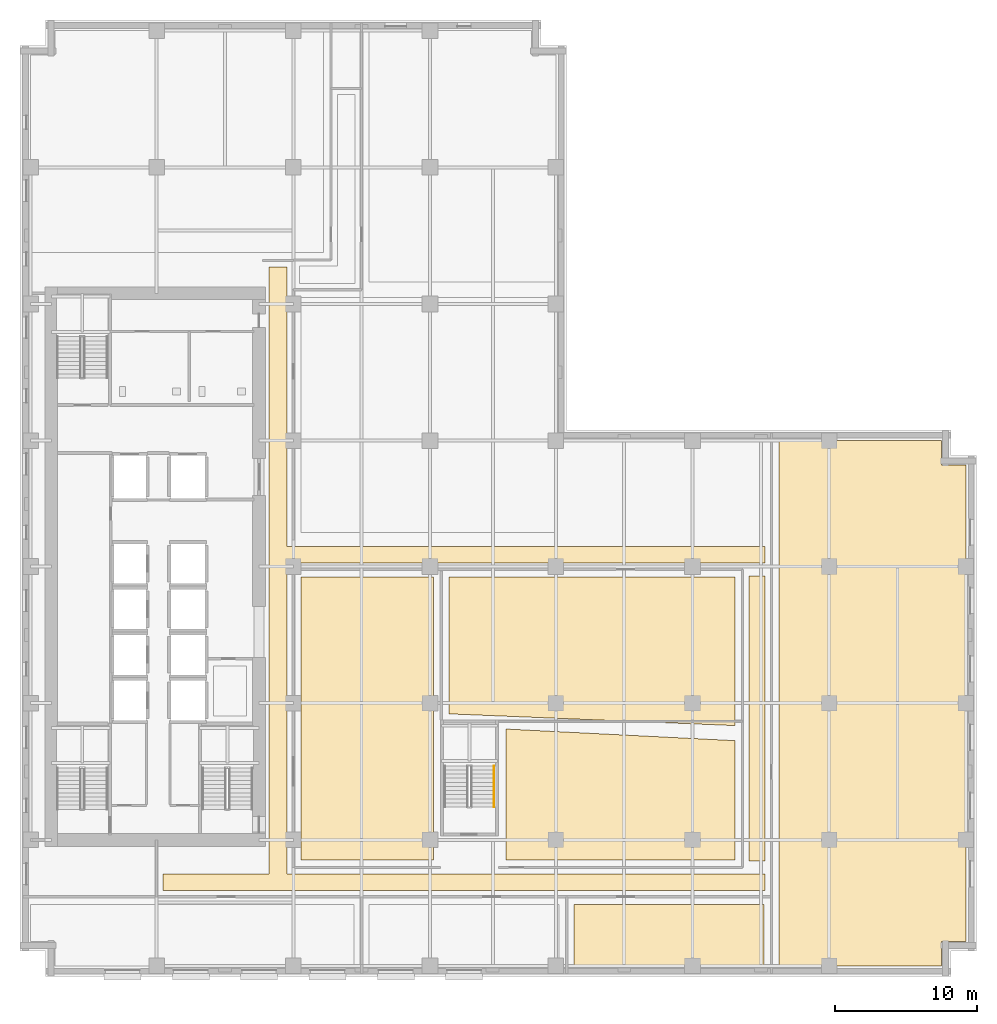
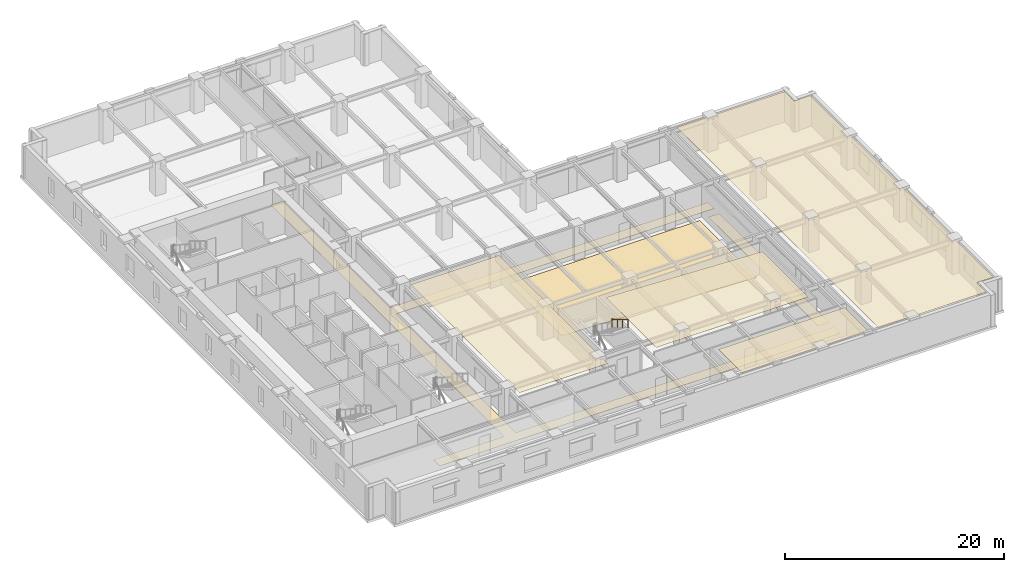
# One storey, part 11 of 14: 7 coverings, 1 railing.
"""IFC4 building model written with IfcOpenShell, lengths in metres."""

from ifc_helpers import new_model, si_unit, direction, frame, origin, origin_2d, place, context, subcontext, project, spatial, polyline, circle, outline, extrude, material, layer, layer_set, type_object, element, save


model = new_model("IFC4")

# Units and contexts
model_context = context("Model", 3, precision=1e-05, world=origin(), true_north=direction((0.0, 1.0)))
body_context = subcontext(model_context, "Body", "Model", "MODEL_VIEW")
ifc_project = project(units=[si_unit("LENGTHUNIT", "METRE"), si_unit("AREAUNIT", "SQUARE_METRE"), si_unit("VOLUMEUNIT", "CUBIC_METRE"), si_unit("PLANEANGLEUNIT", "RADIAN"), si_unit("MASSUNIT", "GRAM", prefix="KILO")], contexts=[model_context])

# Site, building, storey
site_placement = place(None, origin())
site = spatial("IfcSite", under=ifc_project, at=site_placement, CompositionType="ELEMENT")
building_placement = place(site_placement, origin())
building = spatial("IfcBuilding", under=site, at=building_placement, Name="Norrvale University Quadrangle", CompositionType="ELEMENT")
storey_placement = place(building_placement, frame((0.0, 0.0, 73.60009765625)))
storey = spatial("IfcBuildingStorey", under=building, at=storey_placement, Name="L18", CompositionType="ELEMENT", Elevation=73.60009765625)

# Coverings
ifc_material_1 = material(Name="Perforated Acoustic Mineral Ceiling")
ifc_layer_1 = layer(ifc_material_1, 0.02490234375, Name="Perforated Acoustic Mineral Ceiling")
ifc_layer_set_1 = layer_set([ifc_layer_1], Name="Perforated Acoustic Mineral Ceiling")
covering_type_1 = type_object("IfcCoveringType", Name="Covering Acoustic Ceiling 25", PredefinedType="CEILING", material=ifc_layer_set_1)
covering_1_placement = place(storey_placement, frame((0.0, 0.0, 3.514892578125)))
element("IfcCovering", 1, at=covering_1_placement, inside=storey, type_object=covering_type_1, Name="Acoustic Ceiling RM-L18-S03", PredefinedType="CEILING", context=body_context, shape_type="SweptSolid", body=[
    extrude(outline(polyline([(38.929931640625, 5.070068359375), (52.27001953125, 5.070068359375), (52.27001953125, 0.75), (38.929931640625, 0.75), (38.929931640625, 5.070068359375)])), origin(), (0.0, 0.0, 1.0), 0.02490234375),
])
covering_2_placement = place(storey_placement, frame((0.0, 0.0, 3.514892578125)))
element("IfcCovering", 2, at=covering_2_placement, inside=storey, type_object=covering_type_1, Name="Acoustic Ceiling RM-L18-E01", PredefinedType="CEILING", context=body_context, shape_type="SweptSolid", body=[
    extrude(outline(polyline([(53.330078125, 0.75), (53.330078125, 37.64990234375), (64.72998046875, 37.64990234375), (64.72998046875, 35.929931640625), (66.449951171875, 35.929931640625), (66.449951171875, 2.469970703125), (64.72998046875, 2.469970703125), (64.72998046875, 0.75), (53.330078125, 0.75)])), origin(), (0.0, 0.0, 1.0), 0.02490234375),
])
covering_3_placement = place(storey_placement, frame((0.0, 0.0, 3.514892578125)))
element("IfcCovering", 3, at=covering_3_placement, inside=storey, type_object=covering_type_1, Name="Acoustic Ceiling RM-L18-IW1", PredefinedType="CEILING", context=body_context, shape_type="SweptSolid", body=[
    extrude(outline(polyline([(19.72998046875, 8.179931640625), (19.72998046875, 28.070068359375), (29.050048828125, 28.070068359375), (29.050048828125, 8.179931640625), (19.72998046875, 8.179931640625)])), origin(), (0.0, 0.0, 1.0), 0.02490234375),
])
covering_4_placement = place(storey_placement, frame((0.0, 0.0, 3.514892578125)))
element("IfcCovering", 4, at=covering_4_placement, inside=storey, type_object=covering_type_1, Name="Acoustic Ceiling RM-L18-ISE", PredefinedType="CEILING", context=body_context, shape_type="SweptSolid", body=[
    extrude(outline(polyline([(34.14990234375, 8.179931640625), (34.14990234375, 17.386962890625), (50.219970703125, 16.572021484375), (50.219970703125, 8.179931640625), (34.14990234375, 8.179931640625)])), origin(), (0.0, 0.0, 1.0), 0.02490234375),
])
ifc_material_2 = material(Name="Polished Terrazzo Flooring")
ifc_layer_2 = layer(ifc_material_2, 0.02490234375, Name="Polished Terrazzo Flooring")
ifc_layer_set_2 = layer_set([ifc_layer_2], Name="Polished Terrazzo Flooring")
covering_type_2 = type_object("IfcCoveringType", Name="Covering Terrazzo Floor 30", PredefinedType="FLOORING", material=ifc_layer_set_2)
covering_5_placement = place(storey_placement, origin())
element("IfcCovering", 5, at=covering_5_placement, inside=storey, type_object=covering_type_2, Name="Terrazzo Flooring RM-L18-CORR1", PredefinedType="FLOORING", context=body_context, shape_type="SweptSolid", body=[
    extrude(outline(polyline([(10.050048828125, 6.050048828125), (10.050048828125, 7.199951171875), (17.5, 7.199951171875), (17.5, 49.85009765625), (18.75, 49.85009765625), (18.75, 30.199951171875), (52.35009765625, 30.199951171875), (52.35009765625, 29.050048828125), (18.75, 29.050048828125), (18.75, 7.199951171875), (52.35009765625, 7.199951171875), (52.35009765625, 6.050048828125), (10.050048828125, 6.050048828125)])), origin(), (0.0, 0.0, 1.0), 0.02490234375),
])
covering_6_placement = place(storey_placement, origin())
element("IfcCovering", 6, at=covering_6_placement, inside=storey, type_object=covering_type_2, Name="Terrazzo Flooring RM-L18-CORR2", PredefinedType="FLOORING", context=body_context, shape_type="SweptSolid", body=[
    extrude(outline(polyline([(51.199951171875, 8.10009765625), (51.199951171875, 28.14990234375), (52.35009765625, 28.14990234375), (52.35009765625, 8.10009765625), (51.199951171875, 8.10009765625)])), origin(), (0.0, 0.0, 1.0), 0.02490234375),
])
covering_7_placement = place(storey_placement, origin())
element("IfcCovering", 7, at=covering_7_placement, inside=storey, type_object=covering_type_2, Name="Terrazzo Flooring RM-L18-ILH", PredefinedType="FLOORING", context=body_context, shape_type="SweptSolid", body=[
    extrude(outline(polyline([(30.1298828125, 18.451904296875), (30.1298828125, 28.070068359375), (50.219970703125, 28.070068359375), (50.219970703125, 17.62890625), (30.1298828125, 18.451904296875)])), origin(), (0.0, 0.0, 1.0), 0.02490234375),
])

# Railing
ifc_material_3 = material(Name="Stainless Steel 316L Handrail", Category="steel")
railing_type = type_object("IfcRailingType", Name="Railing Stair Handrail 920", PredefinedType="HANDRAIL", material=ifc_material_3)
railing_placement = place(storey_placement, frame((33.31005859375, 14.800048828125, 2.072509765625)))
element("IfcRailing", 8, at=railing_placement, inside=storey, type_object=railing_type, Name="Stair Upper Flight Handrail ST-04 L18", PredefinedType="HANDRAIL", context=body_context, shape_type="SweptSolid", body=[
    extrude(circle(Radius=0.02392578125, at=origin_2d()), frame((0.0, 0.0, 0.89599609375), z_axis=(0.0, -0.859160404282, 0.51170636083), x_axis=(1.0, 0.0, 0.0)), (0.0, 0.0, 1.0), 3.37548828125),
    extrude(circle(Radius=0.02099609375, at=origin_2d()), origin(), (0.0, 0.0, 1.0), 0.871826171875),
    extrude(circle(Radius=0.02099609375, at=origin_2d()), frame((0.0, -0.966796875, 0.57568359375)), (0.0, 0.0, 1.0), 0.871826171875),
    extrude(circle(Radius=0.02099609375, at=origin_2d()), frame((0.0, -1.933349609375, 1.151611328125)), (0.0, 0.0, 1.0), 0.871826171875),
    extrude(circle(Radius=0.02099609375, at=origin_2d()), frame((0.0, -2.900146484375, 1.727294921875)), (0.0, 0.0, 1.0), 0.871826171875),
])

save(model, "model.ifc")
